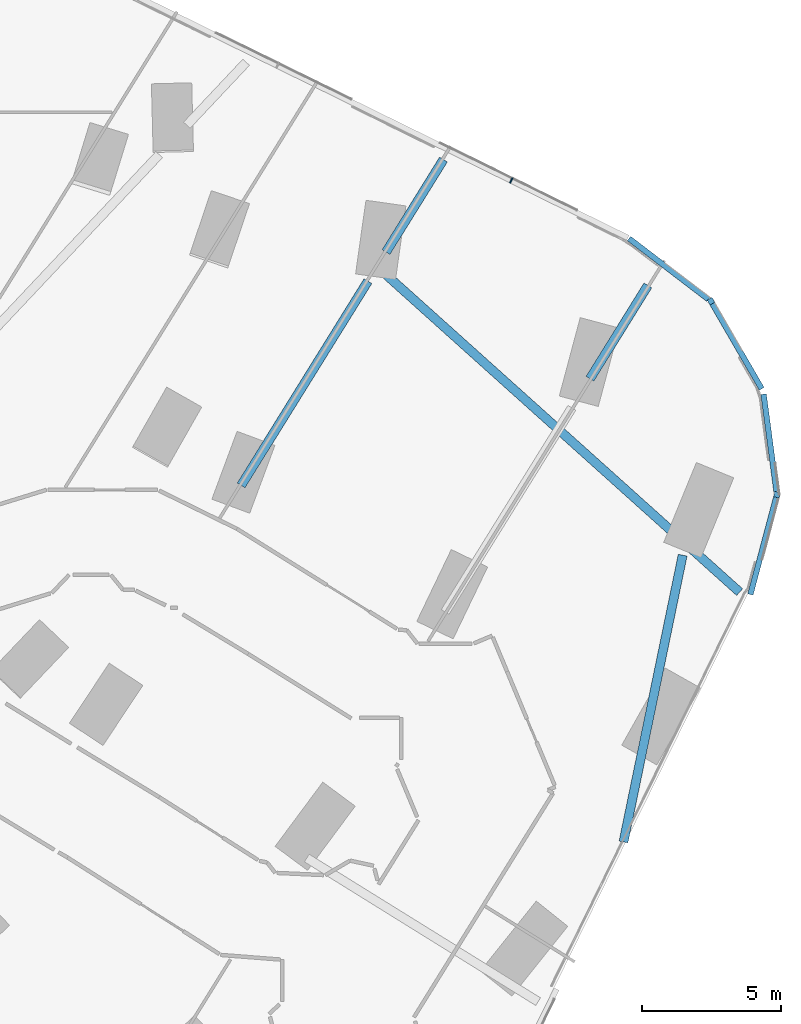
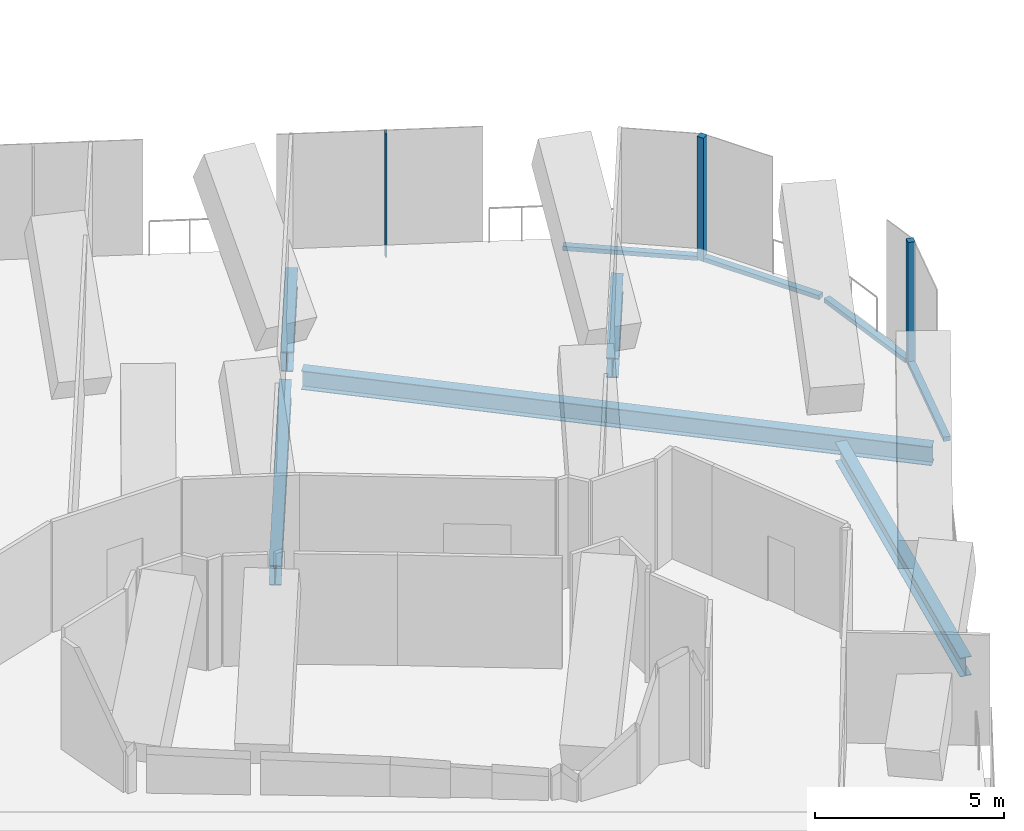
# One storey, part 11 of 31: 7 members, 5 beams, 5 elements without a shape of their own.
"""IFC4 building model written with IfcOpenShell, lengths in metres."""

from ifc_helpers import new_model, si_unit, direction, frame, origin, origin_2d, place, context, subcontext, project, spatial, rectangle, i_section, extrude, material, material_profile, profile_set, type_object, element, aggregate, save


model = new_model("IFC4")

# Units and contexts
model_context = context("Model", 3, precision=1e-05, world=origin(), true_north=direction((0.0, 1.0)))
body_context = subcontext(model_context, "Body", "Model", "MODEL_VIEW")
ifc_project = project(units=[si_unit("LENGTHUNIT", "METRE"), si_unit("AREAUNIT", "SQUARE_METRE"), si_unit("VOLUMEUNIT", "CUBIC_METRE"), si_unit("PLANEANGLEUNIT", "RADIAN"), si_unit("MASSUNIT", "GRAM", prefix="KILO")], contexts=[model_context])

# Site, building, storey
site_placement = place(None, origin())
site = spatial("IfcSite", under=ifc_project, at=site_placement, CompositionType="ELEMENT")
building_placement = place(site_placement, origin())
building = spatial("IfcBuilding", under=site, at=building_placement, Name="Orlundy Tower", CompositionType="ELEMENT")
storey_placement = place(building_placement, frame((0.0, 0.0, 54.800048828125)))
storey = spatial("IfcBuildingStorey", under=building, at=storey_placement, Name="L12", CompositionType="ELEMENT", Elevation=54.800048828125)

# Beams
ifc_material_1 = material(Name="Steel ASTM A992 Gr 50", Category="steel")
ifc_material_profile_1 = material_profile(ifc_material_1, i_section(OverallWidth=0.32373046875, OverallDepth=0.611083984375, WebThickness=0.0126953125, FlangeThickness=0.01904296875, at=origin_2d()), Name="W24X104")
ifc_profile_set_1 = profile_set([ifc_material_profile_1], Name="Steel ASTM A992 Gr 50")
beam_type_1 = type_object("IfcBeamType", Name="CANTILEVER GIRDER beam W24X104", PredefinedType="BEAM", material=ifc_profile_set_1)
beam_1_placement = place(storey_placement, frame((54.4677734375, -26.166748046875, -0.70556640625), z_axis=(0.202074935015, 0.979370063173, 0.0), x_axis=(-0.979370063173, 0.202074935015, 0.0)))
element("IfcBeam", 1, at=beam_1_placement, inside=storey, type_object=beam_type_1, Name="Cantilever girder C-A4-5 L12", PredefinedType="BEAM", context=body_context, shape_type="SweptSolid", body=[
    extrude(i_section(OverallWidth=0.32373046875, OverallDepth=0.611083984375, WebThickness=0.0126953125, FlangeThickness=0.01904296875, at=origin_2d()), origin(), (0.0, 0.0, 1.0), 10.528076171875),
])
beam_2_placement = place(storey_placement, frame((58.6435546875, -17.18408203125, -0.70556640625), z_axis=(-0.744132799141, 0.66803171874, 0.0), x_axis=(-0.66803171874, -0.744132799141, 0.0)))
element("IfcBeam", 2, at=beam_2_placement, inside=storey, type_object=beam_type_1, Name="Cantilever girder C-A5-5 L12", PredefinedType="BEAM", context=body_context, shape_type="SweptSolid", body=[
    extrude(i_section(OverallWidth=0.32373046875, OverallDepth=0.611083984375, WebThickness=0.0126953125, FlangeThickness=0.01904296875, at=origin_2d()), origin(), (0.0, 0.0, 1.0), 17.083251953125),
])
ifc_material_2 = material(Name="Steel ASTM A992 Gr 50", Category="steel")
ifc_material_profile_2 = material_profile(ifc_material_2, i_section(OverallWidth=0.3291015625, OverallDepth=0.635009765625, WebThickness=0.017822265625, FlangeThickness=0.031005859375, at=origin_2d()), Name="W24X162")
ifc_profile_set_2 = profile_set([ifc_material_profile_2], Name="Steel ASTM A992 Gr 50")
beam_type_2 = type_object("IfcBeamType", Name="CANTILEVER GIRDER beam W24X162", PredefinedType="BEAM", material=ifc_profile_set_2)
beam_3_placement = place(storey_placement, frame((47.993408203125, -1.6298828125, -0.717529296875), z_axis=(-0.527494893243, -0.849558201421, 0.0), x_axis=(0.849558201421, -0.527494893243, 0.0)))
element("IfcBeam", 3, at=beam_3_placement, inside=storey, type_object=beam_type_2, Name="Cantilever girder C-A5-2 L12", PredefinedType="BEAM", context=body_context, shape_type="SweptSolid", body=[
    extrude(i_section(OverallWidth=0.3291015625, OverallDepth=0.635009765625, WebThickness=0.017822265625, FlangeThickness=0.031005859375, at=origin_2d()), origin(), (0.0, 0.0, 1.0), 3.912353515625),
])
beam_4_placement = place(storey_placement, frame((45.2783203125, -6.00244140625, -0.717529296875), z_axis=(-0.527508403698, -0.849549812564, 0.0), x_axis=(0.849549812564, -0.527508403698, 0.0)))
element("IfcBeam", 4, at=beam_4_placement, inside=storey, type_object=beam_type_2, Name="Back-span girder C-A5-2 L12", PredefinedType="BEAM", context=body_context, shape_type="SweptSolid", body=[
    extrude(i_section(OverallWidth=0.3291015625, OverallDepth=0.635009765625, WebThickness=0.017822265625, FlangeThickness=0.031005859375, at=origin_2d()), origin(), (0.0, 0.0, 1.0), 8.64306640625),
])
beam_5_placement = place(storey_placement, frame((55.34521484375, -6.15478515625, -0.717529296875), z_axis=(-0.527479790257, -0.849567578754, 0.0), x_axis=(0.849567578754, -0.527479790257, 0.0)))
element("IfcBeam", 5, at=beam_5_placement, inside=storey, type_object=beam_type_2, Name="Cantilever girder C-A5-3 L12", PredefinedType="BEAM", context=body_context, shape_type="SweptSolid", body=[
    extrude(i_section(OverallWidth=0.3291015625, OverallDepth=0.635009765625, WebThickness=0.017822265625, FlangeThickness=0.031005859375, at=origin_2d()), origin(), (0.0, 0.0, 1.0), 3.949951171875),
])

# Curtain wall, member
ifc_material_3 = material(Name="Aluminium bronze anodised", Category="aluminium")
curtain_wall_type = type_object("IfcCurtainWallType", Name="CW5 wall", PredefinedType="NOTDEFINED", material=ifc_material_3)
curtain_wall_1_placement = place(storey_placement, origin())
curtain_wall_1 = element("IfcCurtainWall", 6, at=curtain_wall_1_placement, inside=storey, type_object=curtain_wall_type, Name="CW5 run 031", PredefinedType="NOTDEFINED")
ifc_material_4 = material(Name="Aluminium bronze anodised", Category="aluminium")
ifc_material_profile_3 = material_profile(ifc_material_4, rectangle(XDim=0.199951171875, YDim=0.199951171875, at=origin_2d()), Name="CW5 corner post 200x200")
ifc_profile_set_3 = profile_set([ifc_material_profile_3], Name="Aluminium bronze anodised")
member_type_1 = type_object("IfcMemberType", Name="CW5 corner post 200x200", PredefinedType="MULLION", material=ifc_profile_set_3)
member_1_placement = place(storey_placement, frame((57.613525390625, -6.724609375, -0.400146484375), z_axis=(0.0, 0.0, 1.0), x_axis=(0.865340088782, 0.501185126223, 0.0)))
member_1 = element("IfcMember", 7, at=member_1_placement, type_object=member_type_1, Name="CW5 mullion 57", PredefinedType="MULLION", context=body_context, shape_type="SweptSolid", body=[
    extrude(rectangle(XDim=0.199951171875, YDim=0.199951171875, at=origin_2d()), origin(), (0.0, 0.0, 1.0), 4.0),
])

curtain_wall_2_placement = place(storey_placement, origin())
curtain_wall_2 = element("IfcCurtainWall", 8, at=curtain_wall_2_placement, inside=storey, type_object=curtain_wall_type, Name="CW5 run 033", PredefinedType="NOTDEFINED")
member_2_placement = place(storey_placement, frame((59.98583984375, -13.680419921875, -0.400146484375), z_axis=(0.0, 0.0, 1.0), x_axis=(0.966315487466, -0.257360406209, 0.0)))
member_2 = element("IfcMember", 9, at=member_2_placement, type_object=member_type_1, Name="CW5 mullion 59", PredefinedType="MULLION", context=body_context, shape_type="SweptSolid", body=[
    extrude(rectangle(XDim=0.199951171875, YDim=0.199951171875, at=origin_2d()), origin(), (0.0, 0.0, 1.0), 4.0),
])

curtain_wall_3_placement = place(storey_placement, origin())
curtain_wall_3 = element("IfcCurtainWall", 10, at=curtain_wall_3_placement, inside=storey, type_object=curtain_wall_type, Name="CW5 run 029", PredefinedType="NOTDEFINED")
ifc_material_5 = material(Name="Aluminium bronze anodised", Category="aluminium")
ifc_material_profile_4 = material_profile(ifc_material_5, rectangle(XDim=0.199951171875, YDim=0.050048828125, at=origin_2d()), Name="CW5 mullion 50x200")
ifc_profile_set_4 = profile_set([ifc_material_profile_4], Name="Aluminium bronze anodised")
member_type_2 = type_object("IfcMemberType", Name="CW5 mullion 50x200", PredefinedType="MULLION", material=ifc_profile_set_4)
member_3_placement = place(storey_placement, frame((50.432861328125, -2.384521484375, -0.400146484375), z_axis=(0.0, 0.0, 1.0), x_axis=(0.440983331684, 0.897515293004, 0.0)))
member_3 = element("IfcMember", 11, at=member_3_placement, type_object=member_type_2, Name="CW5 mullion 55", PredefinedType="MULLION", context=body_context, shape_type="SweptSolid", body=[
    extrude(rectangle(XDim=0.199951171875, YDim=0.050048828125, at=origin_2d()), origin(), (0.0, 0.0, 1.0), 4.0),
])
aggregate(curtain_wall_3, [member_3])

curtain_wall_4_placement = place(storey_placement, origin())
curtain_wall_4 = element("IfcCurtainWall", 12, at=curtain_wall_4_placement, inside=storey, type_object=curtain_wall_type, Name="CW5 run 030", PredefinedType="NOTDEFINED")
ifc_material_6 = material(Name="Aluminium bronze anodised", Category="aluminium")
ifc_material_profile_5 = material_profile(ifc_material_6, rectangle(XDim=0.199951171875, YDim=0.139892578125, at=origin_2d()), Name="CW5 transom 200x140")
ifc_profile_set_5 = profile_set([ifc_material_profile_5], Name="Aluminium bronze anodised")
member_type_3 = type_object("IfcMemberType", Name="CW5 transom 200x140", PredefinedType="USERDEFINED", material=ifc_profile_set_5)
member_4_placement = place(storey_placement, frame((54.665771484375, -4.469970703125, -0.330078125), z_axis=(0.794288587829, -0.607540648224, 0.0), x_axis=(0.607540648224, 0.794288587829, 0.0)))
member_4 = element("IfcMember", 13, at=member_4_placement, type_object=member_type_3, Name="CW5 transom", ObjectType="TRANSOM", PredefinedType="USERDEFINED", context=body_context, shape_type="SweptSolid", body=[
    extrude(rectangle(XDim=0.199951171875, YDim=0.139892578125, at=origin_2d()), origin(), (0.0, 0.0, 1.0), 3.60302734375),
])
aggregate(curtain_wall_4, [member_4])

# Member
member_5_placement = place(storey_placement, frame((57.66357421875, -6.811279296875, -0.330078125), z_axis=(0.501204868931, -0.865328653957, 0.0), x_axis=(0.865328653957, 0.501204868931, 0.0)))
member_5 = element("IfcMember", 14, at=member_5_placement, type_object=member_type_3, Name="CW5 transom", ObjectType="TRANSOM", PredefinedType="USERDEFINED", context=body_context, shape_type="SweptSolid", body=[
    extrude(rectangle(XDim=0.199951171875, YDim=0.139892578125, at=origin_2d()), origin(), (0.0, 0.0, 1.0), 3.538818359375),
])

aggregate(curtain_wall_1, [member_1, member_5])

# Curtain wall, member
curtain_wall_5_placement = place(storey_placement, origin())
curtain_wall_5 = element("IfcCurtainWall", 15, at=curtain_wall_5_placement, inside=storey, type_object=curtain_wall_type, Name="CW5 run 032", PredefinedType="NOTDEFINED")
member_6_placement = place(storey_placement, frame((59.504638671875, -10.066162109375, -0.330078125), z_axis=(0.131937717478, -0.991258008143, 0.0), x_axis=(0.991258008143, 0.131937717478, 0.0)))
member_6 = element("IfcMember", 16, at=member_6_placement, type_object=member_type_3, Name="CW5 transom", ObjectType="TRANSOM", PredefinedType="USERDEFINED", context=body_context, shape_type="SweptSolid", body=[
    extrude(rectangle(XDim=0.199951171875, YDim=0.139892578125, at=origin_2d()), origin(), (0.0, 0.0, 1.0), 3.5380859375),
])
aggregate(curtain_wall_5, [member_6])

# Member
member_7_placement = place(storey_placement, frame((59.9599609375, -13.777099609375, -0.330078125), z_axis=(-0.257347084153, -0.966319035453, 0.0), x_axis=(0.966319035453, -0.257347084153, 0.0)))
member_7 = element("IfcMember", 17, at=member_7_placement, type_object=member_type_3, Name="CW5 transom", ObjectType="TRANSOM", PredefinedType="USERDEFINED", context=body_context, shape_type="SweptSolid", body=[
    extrude(rectangle(XDim=0.199951171875, YDim=0.139892578125, at=origin_2d()), origin(), (0.0, 0.0, 1.0), 3.611572265625),
])

aggregate(curtain_wall_2, [member_2, member_7])

save(model, "model.ifc")
